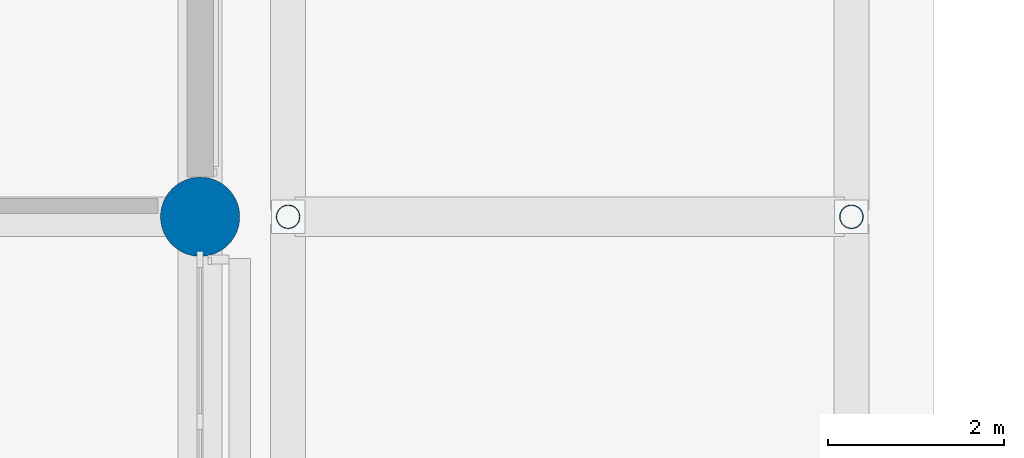
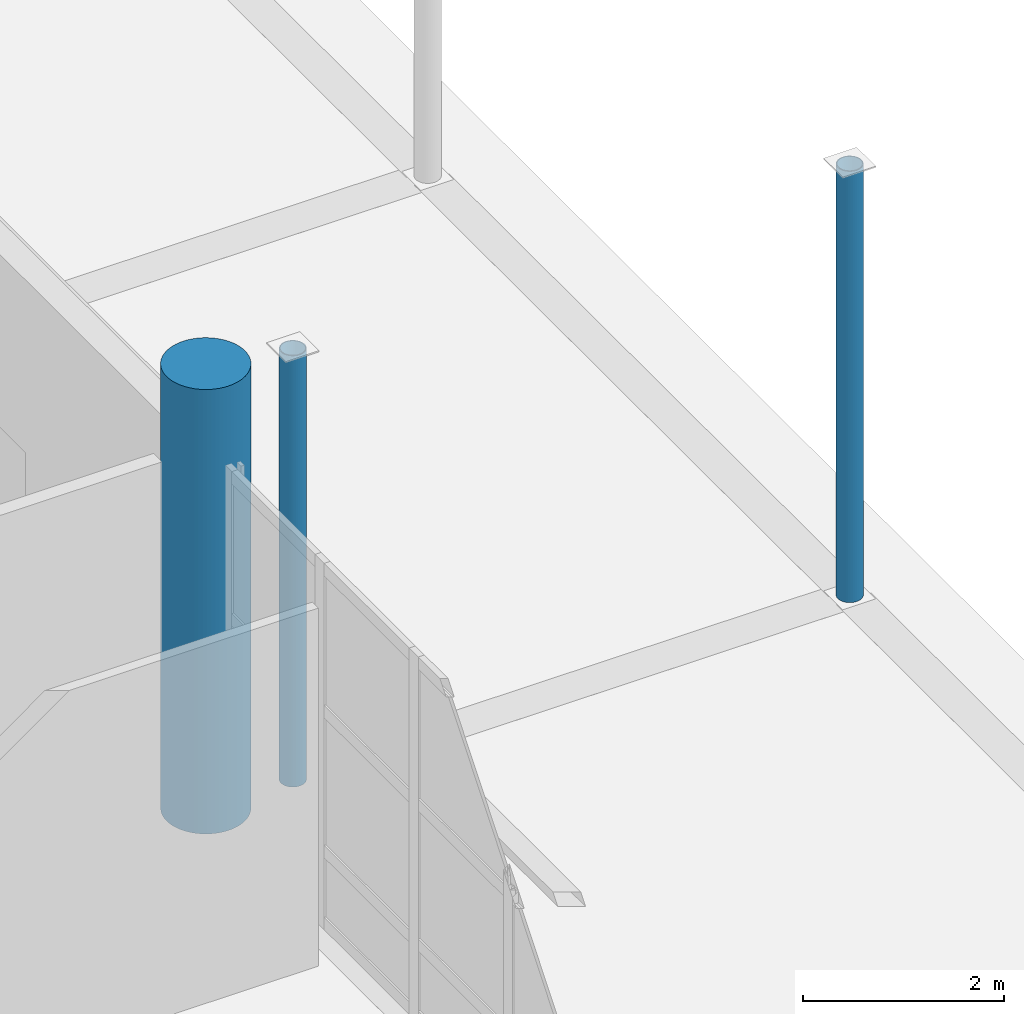
# One storey, part 6 of 140: 3 columns.
"""IFC4 building model written with IfcOpenShell, lengths in metres."""

from ifc_helpers import new_model, si_unit, direction, frame, origin, origin_2d, place, context, subcontext, project, spatial, circle, hollow_circle, extrude, material, material_profile, profile_set, type_object, element, save


model = new_model("IFC4")

# Units and contexts
model_context = context("Model", 3, precision=1e-05, world=origin(), true_north=direction((0.0, 1.0)))
body_context = subcontext(model_context, "Body", "Model", "MODEL_VIEW")
ifc_project = project(units=[si_unit("LENGTHUNIT", "METRE"), si_unit("AREAUNIT", "SQUARE_METRE"), si_unit("VOLUMEUNIT", "CUBIC_METRE"), si_unit("PLANEANGLEUNIT", "RADIAN"), si_unit("MASSUNIT", "GRAM", prefix="KILO")], contexts=[model_context])

# Site, building, storey
site_placement = place(None, origin())
site = spatial("IfcSite", under=ifc_project, at=site_placement, CompositionType="ELEMENT")
building_placement = place(site_placement, origin())
building = spatial("IfcBuilding", under=site, at=building_placement, Name="Telukmera Botanical Conservatory", CompositionType="ELEMENT")
storey_placement = place(building_placement, origin())
storey = spatial("IfcBuildingStorey", under=building, at=storey_placement, Name="L00", CompositionType="ELEMENT", Elevation=0.0)

# Columns
ifc_material_1 = material(Name="Concrete C40/50", Category="concrete")
ifc_material_profile_1 = material_profile(ifc_material_1, circle(Radius=0.449951171875, at=origin_2d()), Name="RC D900")
ifc_profile_set_1 = profile_set([ifc_material_profile_1], Name="Concrete C40/50")
column_type_1 = type_object("IfcColumnType", Name="Col_C16", PredefinedType="COLUMN", material=ifc_profile_set_1)
column_placement = place(storey_placement, frame((42.0, 66.39990234375, 0.0), z_axis=(0.0, 0.0, 1.0), x_axis=(1.0, 0.0, 0.0)))
element("IfcColumn", 1, at=column_placement, inside=storey, type_object=column_type_1, Name="Column V3-L00 (42.0,66.4)", PredefinedType="COLUMN", context=body_context, shape_type="SweptSolid", body=[
    extrude(circle(Radius=0.449951171875, at=origin_2d()), origin(), (0.0, 0.0, 1.0), 5.39990234375),
])
ifc_material_2 = material(Name="Steel S355", Category="steel")
ifc_material_profile_2 = material_profile(ifc_material_2, hollow_circle(Radius=0.136474609375, WallThickness=0.010009765625, at=origin_2d()), Name="CHS 273.0x10.0")
ifc_profile_set_2 = profile_set([ifc_material_profile_2], Name="Steel S355")
column_type_2 = type_object("IfcColumnType", Name="Col_SC2", PredefinedType="COLUMN", material=ifc_profile_set_2)
for number, where, z_axis, x_axis, name in (
    (2, (43.0, 66.39990234375, 0.0), (0.0, 0.0, 1.0), (1.0, 0.0, 0.0), "Column V5-L00 (43.0,66.4)"),
    (3, (49.39990234375, 66.39990234375, 0.0), (0.0, 0.0, 1.0), (1.0, 0.0, 0.0), "Column V5-L00 (49.4,66.4)"),
):
    element("IfcColumn", number, at=place(storey_placement, frame(where, z_axis=z_axis, x_axis=x_axis)), inside=storey, type_object=column_type_2, Name=name, PredefinedType="COLUMN", context=body_context, shape_type="SweptSolid", body=[
        extrude(hollow_circle(Radius=0.136474609375, WallThickness=0.010009765625, at=origin_2d()), origin(), (0.0, 0.0, 1.0), 5.239990234375),
    ])

save(model, "model.ifc")
